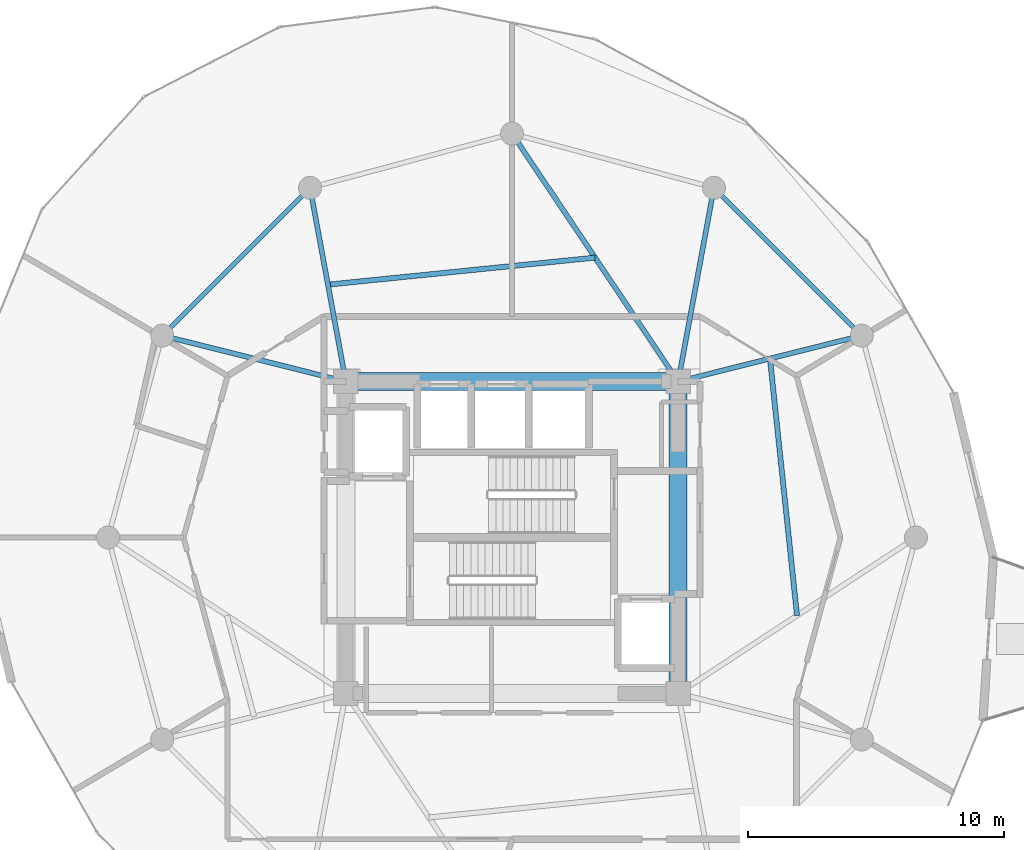
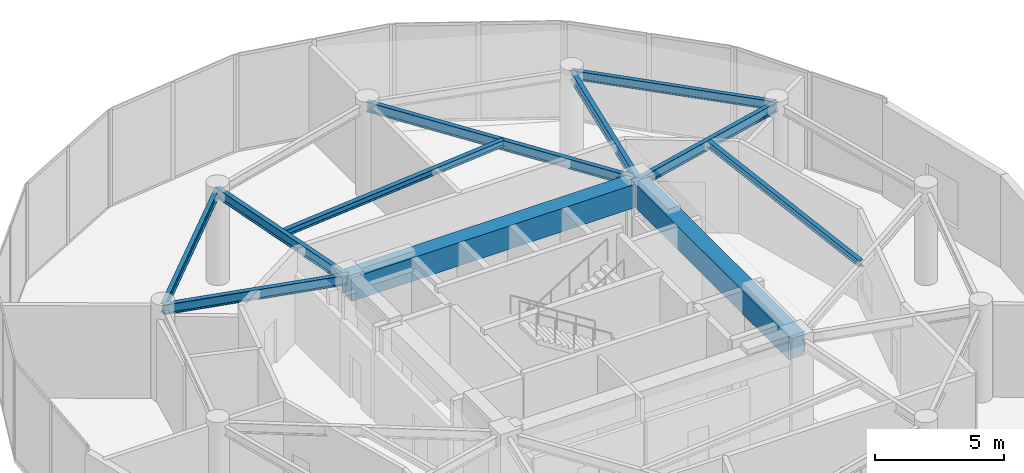
# One storey, part 10 of 23: 11 beams.
"""IFC4 building model written with IfcOpenShell, lengths in metres."""

from ifc_helpers import new_model, si_unit, direction, frame, origin, origin_2d, place, context, subcontext, project, spatial, rectangle, i_section, extrude, material, material_profile, profile_set, type_object, element, save


model = new_model("IFC4")

# Units and contexts
model_context = context("Model", 3, precision=1e-05, world=origin(), true_north=direction((0.0, 1.0)))
body_context = subcontext(model_context, "Body", "Model", "MODEL_VIEW")
ifc_project = project(units=[si_unit("LENGTHUNIT", "METRE"), si_unit("AREAUNIT", "SQUARE_METRE"), si_unit("VOLUMEUNIT", "CUBIC_METRE"), si_unit("PLANEANGLEUNIT", "RADIAN"), si_unit("MASSUNIT", "GRAM", prefix="KILO")], contexts=[model_context])

# Site, building, storey
site_placement = place(None, origin())
site = spatial("IfcSite", under=ifc_project, at=site_placement, CompositionType="ELEMENT")
building_placement = place(site_placement, origin())
building = spatial("IfcBuilding", under=site, at=building_placement, Name="Solvirekh Grand Hotel", CompositionType="ELEMENT")
storey_placement = place(building_placement, frame((0.0, 0.0, 168.60009765625)))
storey = spatial("IfcBuildingStorey", under=building, at=storey_placement, Name="L43", CompositionType="ELEMENT", Elevation=168.60009765625)

# Beams
ifc_material_1 = material(Name="Concrete C60/75", Category="concrete")
ifc_material_profile_1 = material_profile(ifc_material_1, rectangle(XDim=0.699951171875, YDim=1.10009765625, at=origin_2d()), Name="RC BEAM 700X1100")
ifc_profile_set_1 = profile_set([ifc_material_profile_1], Name="Concrete C60/75")
beam_type_1 = type_object("IfcBeamType", Name="Beam_Core_RC1100", PredefinedType="BEAM", material=ifc_profile_set_1)
beam_1_placement = place(storey_placement, frame((6.5, -6.10009765625, 3.809814453125), z_axis=(0.0, 1.0, 0.0), x_axis=(-1.0, 0.0, 0.0)))
element("IfcBeam", 1, at=beam_1_placement, inside=storey, type_object=beam_type_1, Name="L43 core coupling ring beam 2", PredefinedType="BEAM", context=body_context, shape_type="SweptSolid", body=[
    extrude(rectangle(XDim=0.699951171875, YDim=1.10009765625, at=origin_2d()), origin(), (0.0, 0.0, 1.0), 12.2001953125),
])
beam_2_placement = place(storey_placement, frame((6.5, 6.10009765625, 3.809814453125), z_axis=(-1.0, 0.0, 0.0), x_axis=(0.0, -1.0, 0.0)))
element("IfcBeam", 2, at=beam_2_placement, inside=storey, type_object=beam_type_1, Name="L43 core coupling ring beam 3", PredefinedType="BEAM", context=body_context, shape_type="SweptSolid", body=[
    extrude(rectangle(XDim=0.699951171875, YDim=1.10009765625, at=origin_2d()), origin(), (0.0, 0.0, 1.0), 13.0),
])
ifc_material_2 = material(Name="Steel S355", Category="steel")
ifc_material_profile_2 = material_profile(ifc_material_2, i_section(OverallWidth=0.194091796875, OverallDepth=0.468994140625, WebThickness=0.010986328125, FlangeThickness=0.01904296875, FilletRadius=0.012939453125, at=origin_2d()), Name="W460X106")
ifc_profile_set_2 = profile_set([ifc_material_profile_2], Name="Steel S355")
beam_type_2 = type_object("IfcBeamType", Name="Beam_Radial_W460H", PredefinedType="BEAM", material=ifc_profile_set_2)
beam_3_placement = place(storey_placement, frame((6.5, 6.10009765625, 4.1259765625), z_axis=(0.970014367692, 0.243047580675, 0.0), x_axis=(-0.243047580675, 0.970014367692, 0.0)))
element("IfcBeam", 3, at=beam_3_placement, inside=storey, type_object=beam_type_2, Name="L43 radial floor beam R02", PredefinedType="BEAM", context=body_context, shape_type="SweptSolid", body=[
    extrude(i_section(OverallWidth=0.194091796875, OverallDepth=0.468994140625, WebThickness=0.010986328125, FlangeThickness=0.01904296875, FilletRadius=0.012939453125, at=origin_2d()), origin(), (0.0, 0.0, 1.0), 7.4052734375),
])
beam_4_placement = place(storey_placement, frame((6.5, 6.10009765625, 4.1259765625), z_axis=(0.181542769111, 0.983383049978, 0.0), x_axis=(-0.983383049978, 0.181542769111, 0.0)))
element("IfcBeam", 4, at=beam_4_placement, inside=storey, type_object=beam_type_2, Name="L43 radial floor beam R03", PredefinedType="BEAM", context=body_context, shape_type="SweptSolid", body=[
    extrude(i_section(OverallWidth=0.194091796875, OverallDepth=0.468994140625, WebThickness=0.010986328125, FlangeThickness=0.01904296875, FilletRadius=0.012939453125, at=origin_2d()), origin(), (0.0, 0.0, 1.0), 7.711181640625),
])
beam_5_placement = place(storey_placement, frame((6.5, 6.10009765625, 4.1259765625), z_axis=(-0.556676926176, 0.830729077295, 0.0), x_axis=(-0.830729077295, -0.556676926176, 0.0)))
element("IfcBeam", 5, at=beam_5_placement, inside=storey, type_object=beam_type_2, Name="L43 radial floor beam R04", PredefinedType="BEAM", context=body_context, shape_type="SweptSolid", body=[
    extrude(i_section(OverallWidth=0.194091796875, OverallDepth=0.468994140625, WebThickness=0.010986328125, FlangeThickness=0.01904296875, FilletRadius=0.012939453125, at=origin_2d()), origin(), (0.0, 0.0, 1.0), 11.676513671875),
])
beam_6_placement = place(storey_placement, frame((-6.5, 6.10009765625, 4.1259765625), z_axis=(-0.181542769111, 0.983383049978, 0.0), x_axis=(-0.983383049978, -0.181542769111, 0.0)))
element("IfcBeam", 6, at=beam_6_placement, inside=storey, type_object=beam_type_2, Name="L43 radial floor beam R05", PredefinedType="BEAM", context=body_context, shape_type="SweptSolid", body=[
    extrude(i_section(OverallWidth=0.194091796875, OverallDepth=0.468994140625, WebThickness=0.010986328125, FlangeThickness=0.01904296875, FilletRadius=0.012939453125, at=origin_2d()), origin(), (0.0, 0.0, 1.0), 7.711181640625),
])
beam_7_placement = place(storey_placement, frame((-6.5, 6.10009765625, 4.1259765625), z_axis=(-0.970014367692, 0.243047580675, 0.0), x_axis=(-0.243047580675, -0.970014367692, 0.0)))
element("IfcBeam", 7, at=beam_7_placement, inside=storey, type_object=beam_type_2, Name="L43 radial floor beam R06", PredefinedType="BEAM", context=body_context, shape_type="SweptSolid", body=[
    extrude(i_section(OverallWidth=0.194091796875, OverallDepth=0.468994140625, WebThickness=0.010986328125, FlangeThickness=0.01904296875, FilletRadius=0.012939453125, at=origin_2d()), origin(), (0.0, 0.0, 1.0), 7.4052734375),
])
ifc_material_profile_3 = material_profile(ifc_material_2, i_section(OverallWidth=0.202880859375, OverallDepth=0.302978515625, WebThickness=0.008056640625, FlangeThickness=0.012939453125, FilletRadius=0.010009765625, at=origin_2d()), Name="W310X60")
ifc_profile_set_3 = profile_set([ifc_material_profile_3], Name="Steel S355")
beam_type_3 = type_object("IfcBeamType", Name="Joist_Floor_W310", PredefinedType="JOIST", material=ifc_profile_set_3)
beam_8_placement = place(storey_placement, frame((11.14990234375, -3.050048828125, 4.208984375), z_axis=(-0.1047765874, 0.994495785176, 0.0), x_axis=(-0.994495785176, -0.1047765874, 0.0)))
element("IfcBeam", 8, at=beam_8_placement, inside=storey, type_object=beam_type_3, Name="L43 secondary composite floor joist 1", PredefinedType="JOIST", context=body_context, shape_type="SweptSolid", body=[
    extrude(i_section(OverallWidth=0.202880859375, OverallDepth=0.302978515625, WebThickness=0.008056640625, FlangeThickness=0.012939453125, FilletRadius=0.010009765625, at=origin_2d()), origin(), (0.0, 0.0, 1.0), 10.105712890625),
])
beam_9_placement = place(storey_placement, frame((3.25, 10.949951171875, 4.208984375), z_axis=(-0.994915167737, -0.100716478326, 0.0), x_axis=(0.100716478326, -0.994915167737, 0.0)))
element("IfcBeam", 9, at=beam_9_placement, inside=storey, type_object=beam_type_3, Name="L43 secondary composite floor joist 4", PredefinedType="JOIST", context=body_context, shape_type="SweptSolid", body=[
    extrude(i_section(OverallWidth=0.202880859375, OverallDepth=0.302978515625, WebThickness=0.008056640625, FlangeThickness=0.012939453125, FilletRadius=0.010009765625, at=origin_2d()), origin(), (0.0, 0.0, 1.0), 10.50341796875),
])
ifc_material_profile_4 = material_profile(ifc_material_2, i_section(OverallWidth=0.180908203125, OverallDepth=0.4169921875, WebThickness=0.010009765625, FlangeThickness=0.01611328125, FilletRadius=0.011962890625, at=origin_2d()), Name="W410X85")
ifc_profile_set_4 = profile_set([ifc_material_profile_4], Name="Steel S355")
beam_type_4 = type_object("IfcBeamType", Name="Spandrel_Ring_W410", PredefinedType="SPANDREL", material=ifc_profile_set_4)
for number, where, z_axis, x_axis, name in (
    (10, (13.68310546875, 7.89990234375, 4.15185546875), (-0.707106781187, 0.707106781187, 0.0), (-0.707106781187, -0.707106781187, 0.0), "L43 perimeter spandrel beam 2"),
    (11, (-7.89990234375, 13.68310546875, 4.15185546875), (-0.707106781187, -0.707106781187, 0.0), (0.707106781187, -0.707106781187, 0.0), "L43 perimeter spandrel beam 5"),
):
    element("IfcBeam", number, at=place(storey_placement, frame(where, z_axis=z_axis, x_axis=x_axis)), inside=storey, type_object=beam_type_4, Name=name, PredefinedType="SPANDREL", context=body_context, shape_type="SweptSolid", body=[
        extrude(i_section(OverallWidth=0.180908203125, OverallDepth=0.4169921875, WebThickness=0.010009765625, FlangeThickness=0.01611328125, FilletRadius=0.011962890625, at=origin_2d()), origin(), (0.0, 0.0, 1.0), 8.1787109375),
    ])

save(model, "model.ifc")
